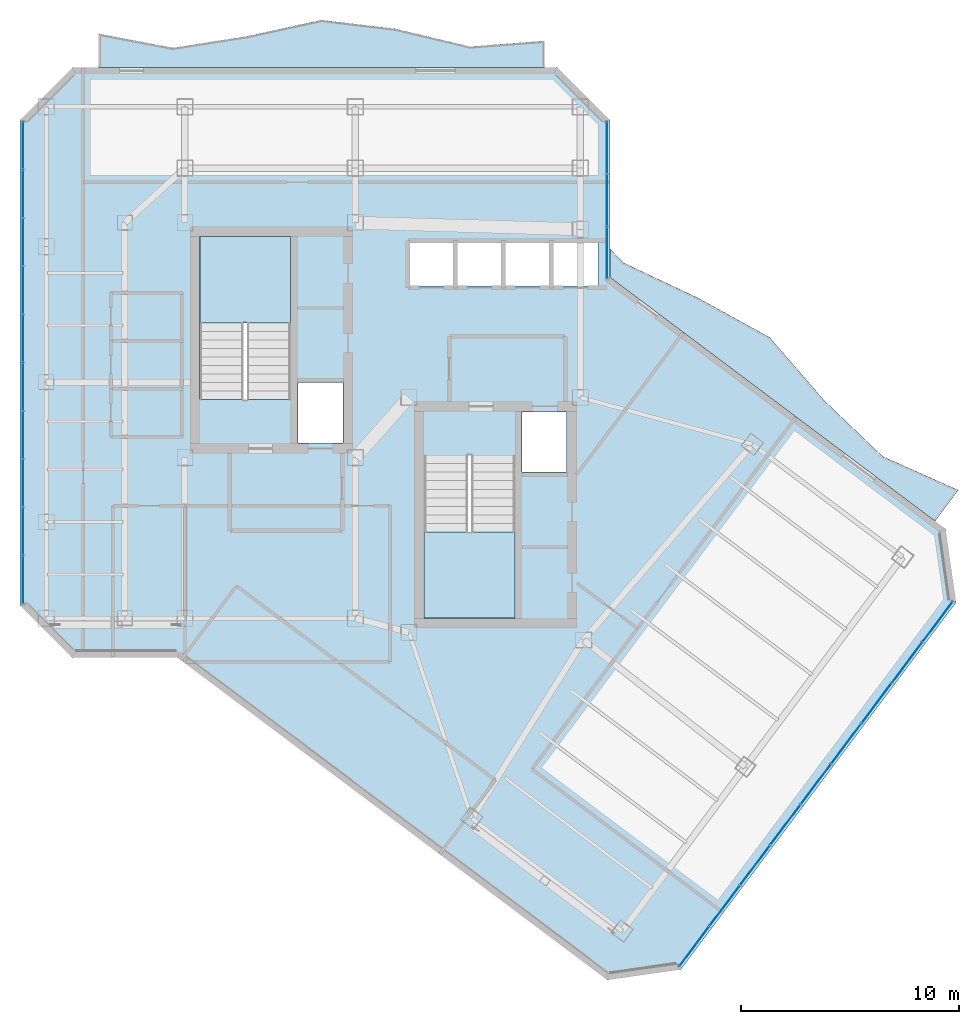
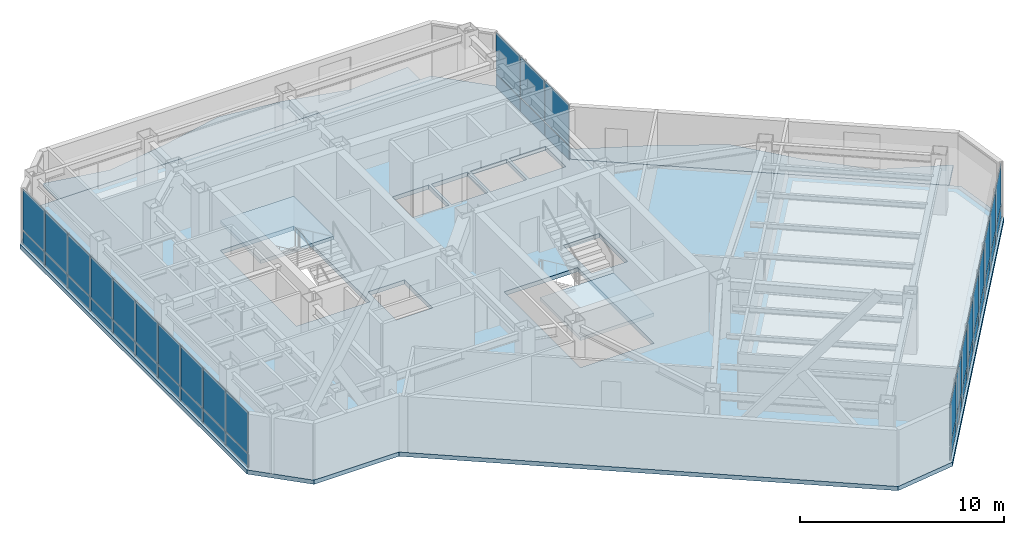
# One storey, part 18 of 24: 44 plates, 5 slabs, 5 elements without a shape of their own.
"""IFC4 building model written with IfcOpenShell, lengths in metres."""

import ifcopenshell
import ifcopenshell.guid

model = None  # the IFC model being written
_history = None  # IfcOwnerHistory: only IFC2X3 demands one
_inside = {}  # id of a spatial element -> (the spatial element, [elements in it])
_under = {}  # id of a project, library or spatial element -> (it, [spatial elements below it])
_declared = {}  # id of a project -> (the project, [libraries it declares])
_typed = {}  # id of a type object -> (the type object, [elements of that type])
_made_of = {}  # id of a material, layer set ... -> (it, [elements and type objects made of it])


def new_model(schema):
    """Start an empty IFC model of exactly this schema.

    Asked for "IFC4X3", IfcOpenShell would pick the latest addendum, in which some entities
    have other attributes; the version numbers below select the first issue.
    IFC2X3 requires an IfcOwnerHistory on every rooted entity: one is made here for all.
    """
    global model, _history
    if schema == "IFC4X3":
        model = ifcopenshell.file(schema_version=(4, 3, 0, 0))
    else:
        model = ifcopenshell.file(schema=schema)
    _inside.clear()
    _under.clear()
    _declared.clear()
    _typed.clear()
    _made_of.clear()
    _history = None
    if model.schema == "IFC2X3":
        org = make("IfcOrganization", Name="unknown")
        user = make(
            "IfcPersonAndOrganization",
            ThePerson=make("IfcPerson", FamilyName="unknown"),
            TheOrganization=org,
        )
        app = make(
            "IfcApplication",
            ApplicationDeveloper=org,
            Version="unknown",
            ApplicationFullName="unknown",
            ApplicationIdentifier="unknown",
        )
        _history = make(
            "IfcOwnerHistory",
            OwningUser=user,
            OwningApplication=app,
            ChangeAction="ADDED",
            CreationDate=0,
        )
    return model


def make(cls, **values):
    """One entity of the class cls with the attributes given. An attribute that is None is left unset."""
    return model.create_entity(
        cls, **{name: value for name, value in values.items() if value is not None}
    )


def rooted(cls, **values):
    """An entity with a GlobalId (a new one), such as an element, a storey or a relation."""
    return make(cls, GlobalId=ifcopenshell.guid.new(), OwnerHistory=_history, **values)


def si_unit(unit_type, name, prefix=None):
    """IfcSIUnit, for example si_unit("LENGTHUNIT", "METRE", prefix="MILLI")."""
    return make("IfcSIUnit", UnitType=unit_type, Prefix=prefix, Name=name)


def assignment(units):
    """IfcUnitAssignment: the units of a project."""
    return None if units is None else make("IfcUnitAssignment", Units=units)


def point(xyz):
    """IfcCartesianPoint."""
    return None if xyz is None else make("IfcCartesianPoint", Coordinates=xyz)


def direction(xyz):
    """IfcDirection."""
    return None if xyz is None else make("IfcDirection", DirectionRatios=xyz)


def frame(location, z_axis=None, x_axis=None):
    """IfcAxis2Placement3D, a coordinate frame: its origin and axes. An axis left out is left unset."""
    return make(
        "IfcAxis2Placement3D",
        Location=point(location),
        Axis=direction(z_axis),
        RefDirection=direction(x_axis),
    )


def frame_2d(location, x_axis=None):
    """IfcAxis2Placement2D, a coordinate frame in the plane: its origin and x axis."""
    return make(
        "IfcAxis2Placement2D", Location=point(location), RefDirection=direction(x_axis)
    )


def origin():
    """The frame at (0, 0, 0) with its axes left unset."""
    return frame((0.0, 0.0, 0.0))


def origin_2d():
    """The frame at (0, 0) in the plane with its x axis left unset."""
    return frame_2d((0.0, 0.0))


def place(relative_to, where):
    """IfcLocalPlacement: puts the frame where relative to a parent placement (None: the world)."""
    return make(
        "IfcLocalPlacement", PlacementRelTo=relative_to, RelativePlacement=where
    )


def context(
    kind, dimensions, precision=None, world=None, true_north=None, identifier=None
):
    """IfcGeometricRepresentationContext, for example the 3D "Model" context."""
    return make(
        "IfcGeometricRepresentationContext",
        ContextIdentifier=identifier,
        ContextType=kind,
        CoordinateSpaceDimension=dimensions,
        Precision=precision,
        WorldCoordinateSystem=world,
        TrueNorth=true_north,
    )


def subcontext(parent, identifier, kind, view, scale=None):
    """IfcGeometricRepresentationSubContext, for example "Body" below "Model"."""
    return make(
        "IfcGeometricRepresentationSubContext",
        ContextIdentifier=identifier,
        ContextType=kind,
        ParentContext=parent,
        TargetScale=scale,
        TargetView=view,
    )


def project(units=None, contexts=None):
    """IfcProject with its units and contexts."""
    return rooted(
        "IfcProject",
        Name="project",
        RepresentationContexts=contexts,
        UnitsInContext=assignment(units),
    )


def spatial(cls, under=None, at=None, **own):
    """A site, building, storey or space (cls), placed at a placement, below another one or the project."""
    s = rooted(cls, ObjectPlacement=at, **own)
    if under is not None:
        _under.setdefault(under.id(), (under, []))[1].append(s)
    return s


def polyline(points):
    """IfcPolyline through the points."""
    return make("IfcPolyline", Points=[point(p) for p in points])


def profile(cls, at=None, kind="AREA", **sizes):
    """A parametric profile (cls). Its sizes go by their IFC names, for example OverallWidth=200.0."""
    return make(cls, ProfileType=kind, Position=at, **sizes)


def rectangle(**sizes):
    """IfcRectangleProfileDef."""
    return profile("IfcRectangleProfileDef", **sizes)


def outline(outer, holes=None, kind="AREA"):
    """IfcArbitraryClosedProfileDef: a profile drawn as a closed curve; with holes, ...WithVoids."""
    if holes is None:
        return make("IfcArbitraryClosedProfileDef", ProfileType=kind, OuterCurve=outer)
    return make(
        "IfcArbitraryProfileDefWithVoids",
        ProfileType=kind,
        OuterCurve=outer,
        InnerCurves=holes,
    )


def extrude(swept, where, along, depth):
    """IfcExtrudedAreaSolid: the profile swept, set in the frame where, extruded along a direction by depth."""
    return make(
        "IfcExtrudedAreaSolid",
        SweptArea=swept,
        Position=where,
        ExtrudedDirection=direction(along),
        Depth=depth,
    )


def shape(context_of_items, identifier, shape_type, items):
    """IfcShapeRepresentation: the items that make up one representation, for example the "Body"."""
    return make(
        "IfcShapeRepresentation",
        ContextOfItems=context_of_items,
        RepresentationIdentifier=identifier,
        RepresentationType=shape_type,
        Items=items,
    )


def material(Name=None, Category=None):
    """IfcMaterial."""
    return make("IfcMaterial", Name=Name, Category=Category)


def layer(
    of_material, thickness, ventilated=None, Name=None, Category=None, Priority=None
):
    """IfcMaterialLayer: one layer of a wall or slab, of a material (None: an air gap)."""
    return make(
        "IfcMaterialLayer",
        Material=of_material,
        LayerThickness=thickness,
        IsVentilated=ventilated,
        Name=Name,
        Category=Category,
        Priority=Priority,
    )


def layer_set(layers, Name=None):
    """IfcMaterialLayerSet."""
    return make("IfcMaterialLayerSet", MaterialLayers=layers, LayerSetName=Name)


def made_of(thing, what):
    """Note that an element or type object is made of a material, layer set ...; save() writes the relation."""
    if what is not None:
        _made_of.setdefault(what.id(), (what, []))[1].append(thing)
    return thing


def type_object(cls, material=None, **own):
    """A type object (cls), such as IfcWallType, which elements share."""
    return made_of(rooted(cls, **own), material)


def element(
    cls,
    number,
    at=None,
    inside=None,
    cuts=None,
    type_object=None,
    material=None,
    context=None,
    identifier="Body",
    shape_type=None,
    held_by="IfcProductDefinitionShape",
    body=None,
    shapes=None,
    **own,
):
    """One element of the class cls, such as IfcWall. Its Tag is "e" and its number.

    at: its placement. inside: the storey or other place that contains it. cuts: it is an
    opening in that element (IfcRelVoidsElement). A single representation is given by context,
    identifier, shape_type and body (its items); several are given by shapes. held_by: the class
    of the entity that holds the representations. save() writes the other relations.
    """
    e = rooted(cls, Tag="e%d" % number, ObjectPlacement=at, **own)
    if body is not None:
        shapes = [shape(context, identifier, shape_type, body)]
    if shapes is not None:
        e.Representation = make(held_by, Representations=shapes)
    if inside is not None:
        _inside.setdefault(inside.id(), (inside, []))[1].append(e)
    if cuts is not None:
        rooted(
            "IfcRelVoidsElement", RelatingBuildingElement=cuts, RelatedOpeningElement=e
        )
    if type_object is not None:
        _typed.setdefault(type_object.id(), (type_object, []))[1].append(e)
    return made_of(e, material)


def aggregate(whole, parts):
    """IfcRelAggregates: a whole, such as a stair, and the parts it consists of."""
    return rooted("IfcRelAggregates", RelatingObject=whole, RelatedObjects=parts)


def save(model, path):
    """Write the relations noted so far, then the file.

    IfcRelAggregates (storeys below a building ...), IfcRelContainedInSpatialStructure (elements
    in a storey), IfcRelDefinesByType, IfcRelAssociatesMaterial and IfcRelDeclares: one each for
    every whole, place, type object, material and project.
    """
    for whole, parts in _under.values():
        aggregate(whole, parts)
    for where, things in _inside.values():
        rooted(
            "IfcRelContainedInSpatialStructure",
            RelatedElements=things,
            RelatingStructure=where,
        )
    for kind, things in _typed.values():
        rooted("IfcRelDefinesByType", RelatedObjects=things, RelatingType=kind)
    for what, things in _made_of.values():
        rooted("IfcRelAssociatesMaterial", RelatedObjects=things, RelatingMaterial=what)
    for by, libraries in _declared.values():
        rooted("IfcRelDeclares", RelatingContext=by, RelatedDefinitions=libraries)
    model.write(path)


model = new_model("IFC4")

# Units and contexts
model_context = context("Model", 3, precision=1e-05, world=origin(), true_north=direction((0.0, 1.0)))
body_context = subcontext(model_context, "Body", "Model", "MODEL_VIEW")
ifc_project = project(units=[si_unit("LENGTHUNIT", "METRE"), si_unit("AREAUNIT", "SQUARE_METRE"), si_unit("VOLUMEUNIT", "CUBIC_METRE"), si_unit("PLANEANGLEUNIT", "RADIAN"), si_unit("MASSUNIT", "GRAM", prefix="KILO")], contexts=[model_context])

# Site, building, storey
site_placement = place(None, origin())
site = spatial("IfcSite", under=ifc_project, at=site_placement, CompositionType="ELEMENT")
building_placement = place(site_placement, origin())
building = spatial("IfcBuilding", under=site, at=building_placement, Name="Hatsunagi Terrace Concourse", CompositionType="ELEMENT")
storey_placement = place(building_placement, frame((0.0, 0.0, 191.550048828125)))
storey = spatial("IfcBuildingStorey", under=building, at=storey_placement, Name="L50", CompositionType="ELEMENT", Elevation=191.550048828125)

# Curtain wall, plates
ifc_material_1 = material(Name="Anodised Aluminium Alloy 6063-T5", Category="aluminium")
ifc_layer_1 = layer(ifc_material_1, 0.199951171875)
ifc_layer_set_1 = layer_set([ifc_layer_1], Name="OfficeZone2_CW04")
curtain_wall_type = type_object("IfcCurtainWallType", Name="OfficeZone2_CW04", PredefinedType="NOTDEFINED", material=ifc_layer_set_1)
curtain_wall_1_placement = place(storey_placement, origin())
curtain_wall_1 = element("IfcCurtainWall", 1, at=curtain_wall_1_placement, inside=storey, type_object=curtain_wall_type, Name="Unitised Curtain Wall CW-04 CW-L50-03", PredefinedType="NOTDEFINED")
ifc_material_2 = material(Name="Warm Terracotta Ceramic Spandrel Panel", Category="masonry")
ifc_layer_2 = layer(ifc_material_2, 0.031982421875)
ifc_layer_set_2 = layer_set([ifc_layer_2], Name="CurtainWallSpandrelPanel_32")
plate_type_1 = type_object("IfcPlateType", Name="CurtainWallSpandrelPanel_32", PredefinedType="SHEET", material=ifc_layer_set_2)
plate_1_placement = place(storey_placement, frame((59.9970703125, 25.030029296875, 0.030029296875), z_axis=(0.0, 0.0, 1.0), x_axis=(-0.599969314634, -0.800023013105, 0.0)))
plate_1 = element("IfcPlate", 2, at=plate_1_placement, type_object=plate_type_1, Name="Terracotta Spandrel Panel SPN-01", PredefinedType="SHEET", context=body_context, shape_type="SweptSolid", body=[
    extrude(rectangle(XDim=2.264892578125, YDim=0.031982421875, at=origin_2d()), origin(), (0.0, 0.0, 1.0), 0.7900390625),
])
plate_2_placement = place(storey_placement, frame((58.60498046875, 23.173095703125, 0.030029296875), z_axis=(0.0, 0.0, 1.0), x_axis=(-0.599969314634, -0.800023013105, 0.0)))
plate_2 = element("IfcPlate", 3, at=plate_2_placement, type_object=plate_type_1, Name="Terracotta Spandrel Panel SPN-01", PredefinedType="SHEET", context=body_context, shape_type="SweptSolid", body=[
    extrude(rectangle(XDim=2.264892578125, YDim=0.031982421875, at=origin_2d()), origin(), (0.0, 0.0, 1.0), 0.7900390625),
])
plate_3_placement = place(storey_placement, frame((57.2119140625, 21.31689453125, 0.030029296875), z_axis=(0.0, 0.0, 1.0), x_axis=(-0.599969314634, -0.800023013105, 0.0)))
plate_3 = element("IfcPlate", 4, at=plate_3_placement, type_object=plate_type_1, Name="Terracotta Spandrel Panel SPN-01", PredefinedType="SHEET", context=body_context, shape_type="SweptSolid", body=[
    extrude(rectangle(XDim=2.264892578125, YDim=0.031982421875, at=origin_2d()), origin(), (0.0, 0.0, 1.0), 0.7900390625),
])
plate_4_placement = place(storey_placement, frame((55.820068359375, 19.4599609375, 0.030029296875), z_axis=(0.0, 0.0, 1.0), x_axis=(-0.599969314634, -0.800023013105, 0.0)))
plate_4 = element("IfcPlate", 5, at=plate_4_placement, type_object=plate_type_1, Name="Terracotta Spandrel Panel SPN-01", PredefinedType="SHEET", context=body_context, shape_type="SweptSolid", body=[
    extrude(rectangle(XDim=2.264892578125, YDim=0.031982421875, at=origin_2d()), origin(), (0.0, 0.0, 1.0), 0.7900390625),
])
plate_5_placement = place(storey_placement, frame((54.427978515625, 17.60400390625, 0.030029296875), z_axis=(0.0, 0.0, 1.0), x_axis=(-0.599969314634, -0.800023013105, 0.0)))
plate_5 = element("IfcPlate", 6, at=plate_5_placement, type_object=plate_type_1, Name="Terracotta Spandrel Panel SPN-01", PredefinedType="SHEET", context=body_context, shape_type="SweptSolid", body=[
    extrude(rectangle(XDim=2.264892578125, YDim=0.031982421875, at=origin_2d()), origin(), (0.0, 0.0, 1.0), 0.7900390625),
])
plate_6_placement = place(storey_placement, frame((53.035888671875, 15.748046875, 0.030029296875), z_axis=(0.0, 0.0, 1.0), x_axis=(-0.599969314634, -0.800023013105, 0.0)))
plate_6 = element("IfcPlate", 7, at=plate_6_placement, type_object=plate_type_1, Name="Terracotta Spandrel Panel SPN-01", PredefinedType="SHEET", context=body_context, shape_type="SweptSolid", body=[
    extrude(rectangle(XDim=2.264892578125, YDim=0.031982421875, at=origin_2d()), origin(), (0.0, 0.0, 1.0), 0.7900390625),
])
plate_7_placement = place(storey_placement, frame((51.64404296875, 13.89111328125, 0.030029296875), z_axis=(0.0, 0.0, 1.0), x_axis=(-0.599969314634, -0.800023013105, 0.0)))
plate_7 = element("IfcPlate", 8, at=plate_7_placement, type_object=plate_type_1, Name="Terracotta Spandrel Panel SPN-01", PredefinedType="SHEET", context=body_context, shape_type="SweptSolid", body=[
    extrude(rectangle(XDim=2.264892578125, YDim=0.031982421875, at=origin_2d()), origin(), (0.0, 0.0, 1.0), 0.7900390625),
])
plate_8_placement = place(storey_placement, frame((50.2509765625, 12.034912109375, 0.030029296875), z_axis=(0.0, 0.0, 1.0), x_axis=(-0.599969314634, -0.800023013105, 0.0)))
plate_8 = element("IfcPlate", 9, at=plate_8_placement, type_object=plate_type_1, Name="Terracotta Spandrel Panel SPN-01", PredefinedType="SHEET", context=body_context, shape_type="SweptSolid", body=[
    extrude(rectangle(XDim=2.264892578125, YDim=0.031982421875, at=origin_2d()), origin(), (0.0, 0.0, 1.0), 0.7900390625),
])
plate_9_placement = place(storey_placement, frame((48.85888671875, 10.177978515625, 0.030029296875), z_axis=(0.0, 0.0, 1.0), x_axis=(-0.599969314634, -0.800023013105, 0.0)))
plate_9 = element("IfcPlate", 10, at=plate_9_placement, type_object=plate_type_1, Name="Terracotta Spandrel Panel SPN-01", PredefinedType="SHEET", context=body_context, shape_type="SweptSolid", body=[
    extrude(rectangle(XDim=2.264892578125, YDim=0.031982421875, at=origin_2d()), origin(), (0.0, 0.0, 1.0), 0.7900390625),
])

curtain_wall_2_placement = place(storey_placement, origin())
curtain_wall_2 = element("IfcCurtainWall", 11, at=curtain_wall_2_placement, inside=storey, type_object=curtain_wall_type, Name="Unitised Curtain Wall CW-04 CW-L50-08", PredefinedType="NOTDEFINED")
plate_10_placement = place(storey_placement, frame((18.139892578125, 26.9619140625, 0.030029296875), z_axis=(0.0, 0.0, 1.0), x_axis=(0.0, 1.0, 0.0)))
plate_10 = element("IfcPlate", 12, at=plate_10_placement, type_object=plate_type_1, Name="Terracotta Spandrel Panel SPN-01", PredefinedType="SHEET", context=body_context, shape_type="SweptSolid", body=[
    extrude(rectangle(XDim=2.153076171875, YDim=0.031982421875, at=origin_2d()), origin(), (0.0, 0.0, 1.0), 0.7900390625),
])
plate_11_placement = place(storey_placement, frame((18.139892578125, 29.1708984375, 0.030029296875), z_axis=(0.0, 0.0, 1.0), x_axis=(0.0, 1.0, 0.0)))
plate_11 = element("IfcPlate", 13, at=plate_11_placement, type_object=plate_type_1, Name="Terracotta Spandrel Panel SPN-01", PredefinedType="SHEET", context=body_context, shape_type="SweptSolid", body=[
    extrude(rectangle(XDim=2.153076171875, YDim=0.031982421875, at=origin_2d()), origin(), (0.0, 0.0, 1.0), 0.7900390625),
])
plate_12_placement = place(storey_placement, frame((18.139892578125, 31.37890625, 0.030029296875), z_axis=(0.0, 0.0, 1.0), x_axis=(0.0, 1.0, 0.0)))
plate_12 = element("IfcPlate", 14, at=plate_12_placement, type_object=plate_type_1, Name="Terracotta Spandrel Panel SPN-01", PredefinedType="SHEET", context=body_context, shape_type="SweptSolid", body=[
    extrude(rectangle(XDim=2.153076171875, YDim=0.031982421875, at=origin_2d()), origin(), (0.0, 0.0, 1.0), 0.7900390625),
])
plate_13_placement = place(storey_placement, frame((18.139892578125, 33.5869140625, 0.030029296875), z_axis=(0.0, 0.0, 1.0), x_axis=(0.0, 1.0, 0.0)))
plate_13 = element("IfcPlate", 15, at=plate_13_placement, type_object=plate_type_1, Name="Terracotta Spandrel Panel SPN-01", PredefinedType="SHEET", context=body_context, shape_type="SweptSolid", body=[
    extrude(rectangle(XDim=2.153076171875, YDim=0.031982421875, at=origin_2d()), origin(), (0.0, 0.0, 1.0), 0.7900390625),
])
plate_14_placement = place(storey_placement, frame((18.139892578125, 35.7958984375, 0.030029296875), z_axis=(0.0, 0.0, 1.0), x_axis=(0.0, 1.0, 0.0)))
plate_14 = element("IfcPlate", 16, at=plate_14_placement, type_object=plate_type_1, Name="Terracotta Spandrel Panel SPN-01", PredefinedType="SHEET", context=body_context, shape_type="SweptSolid", body=[
    extrude(rectangle(XDim=2.153076171875, YDim=0.031982421875, at=origin_2d()), origin(), (0.0, 0.0, 1.0), 0.7900390625),
])
plate_15_placement = place(storey_placement, frame((18.139892578125, 38.00390625, 0.030029296875), z_axis=(0.0, 0.0, 1.0), x_axis=(0.0, 1.0, 0.0)))
plate_15 = element("IfcPlate", 17, at=plate_15_placement, type_object=plate_type_1, Name="Terracotta Spandrel Panel SPN-01", PredefinedType="SHEET", context=body_context, shape_type="SweptSolid", body=[
    extrude(rectangle(XDim=2.153076171875, YDim=0.031982421875, at=origin_2d()), origin(), (0.0, 0.0, 1.0), 0.7900390625),
])
plate_16_placement = place(storey_placement, frame((18.139892578125, 40.212890625, 0.030029296875), z_axis=(0.0, 0.0, 1.0), x_axis=(0.0, 1.0, 0.0)))
plate_16 = element("IfcPlate", 18, at=plate_16_placement, type_object=plate_type_1, Name="Terracotta Spandrel Panel SPN-01", PredefinedType="SHEET", context=body_context, shape_type="SweptSolid", body=[
    extrude(rectangle(XDim=2.153076171875, YDim=0.031982421875, at=origin_2d()), origin(), (0.0, 0.0, 1.0), 0.7900390625),
])
plate_17_placement = place(storey_placement, frame((18.139892578125, 42.4208984375, 0.030029296875), z_axis=(0.0, 0.0, 1.0), x_axis=(0.0, 1.0, 0.0)))
plate_17 = element("IfcPlate", 19, at=plate_17_placement, type_object=plate_type_1, Name="Terracotta Spandrel Panel SPN-01", PredefinedType="SHEET", context=body_context, shape_type="SweptSolid", body=[
    extrude(rectangle(XDim=2.153076171875, YDim=0.031982421875, at=origin_2d()), origin(), (0.0, 0.0, 1.0), 0.7900390625),
])
plate_18_placement = place(storey_placement, frame((18.139892578125, 44.62890625, 0.030029296875), z_axis=(0.0, 0.0, 1.0), x_axis=(0.0, 1.0, 0.0)))
plate_18 = element("IfcPlate", 20, at=plate_18_placement, type_object=plate_type_1, Name="Terracotta Spandrel Panel SPN-01", PredefinedType="SHEET", context=body_context, shape_type="SweptSolid", body=[
    extrude(rectangle(XDim=2.153076171875, YDim=0.031982421875, at=origin_2d()), origin(), (0.0, 0.0, 1.0), 0.7900390625),
])
plate_19_placement = place(storey_placement, frame((18.139892578125, 46.837890625, 0.030029296875), z_axis=(0.0, 0.0, 1.0), x_axis=(0.0, 1.0, 0.0)))
plate_19 = element("IfcPlate", 21, at=plate_19_placement, type_object=plate_type_1, Name="Terracotta Spandrel Panel SPN-01", PredefinedType="SHEET", context=body_context, shape_type="SweptSolid", body=[
    extrude(rectangle(XDim=2.153076171875, YDim=0.031982421875, at=origin_2d()), origin(), (0.0, 0.0, 1.0), 0.7900390625),
])

curtain_wall_3_placement = place(storey_placement, origin())
curtain_wall_3 = element("IfcCurtainWall", 22, at=curtain_wall_3_placement, inside=storey, type_object=curtain_wall_type, Name="Unitised Curtain Wall CW-04 CW-L50-12", PredefinedType="NOTDEFINED")
plate_20_placement = place(storey_placement, frame((44.860107421875, 46.739990234375, 0.030029296875), z_axis=(0.0, 0.0, 1.0), x_axis=(0.0, -1.0, 0.0)))
plate_20 = element("IfcPlate", 23, at=plate_20_placement, type_object=plate_type_1, Name="Terracotta Spandrel Panel SPN-01", PredefinedType="SHEET", context=body_context, shape_type="SweptSolid", body=[
    extrude(rectangle(XDim=2.34912109375, YDim=0.031982421875, at=origin_2d()), origin(), (0.0, 0.0, 1.0), 0.7900390625),
])
plate_21_placement = place(storey_placement, frame((44.860107421875, 44.3359375, 0.030029296875), z_axis=(0.0, 0.0, 1.0), x_axis=(0.0, -1.0, 0.0)))
plate_21 = element("IfcPlate", 24, at=plate_21_placement, type_object=plate_type_1, Name="Terracotta Spandrel Panel SPN-01", PredefinedType="SHEET", context=body_context, shape_type="SweptSolid", body=[
    extrude(rectangle(XDim=2.34912109375, YDim=0.031982421875, at=origin_2d()), origin(), (0.0, 0.0, 1.0), 0.7900390625),
])
plate_22_placement = place(storey_placement, frame((44.860107421875, 41.931884765625, 0.030029296875), z_axis=(0.0, 0.0, 1.0), x_axis=(0.0, -1.0, 0.0)))
plate_22 = element("IfcPlate", 25, at=plate_22_placement, type_object=plate_type_1, Name="Terracotta Spandrel Panel SPN-01", PredefinedType="SHEET", context=body_context, shape_type="SweptSolid", body=[
    extrude(rectangle(XDim=2.34912109375, YDim=0.031982421875, at=origin_2d()), origin(), (0.0, 0.0, 1.0), 0.7900390625),
])

# Plate
ifc_material_3 = material(Name="Low-E Double Insulating Glass 28mm", Category="glass")
ifc_layer_3 = layer(ifc_material_3, 0.028076171875)
ifc_layer_set_3 = layer_set([ifc_layer_3], Name="CurtainWallVisionGlass_28")
plate_type_2 = type_object("IfcPlateType", Name="CurtainWallVisionGlass_28", PredefinedType="CURTAIN_PANEL", material=ifc_layer_set_3)
plate_23_placement = place(storey_placement, frame((59.9970703125, 25.030029296875, 0.8798828125), z_axis=(0.0, 0.0, 1.0), x_axis=(-0.599969314634, -0.800023013105, 0.0)))
plate_23 = element("IfcPlate", 26, at=plate_23_placement, type_object=plate_type_2, Name="Low-E Vision Glass Panel GLZ-01", PredefinedType="CURTAIN_PANEL", context=body_context, shape_type="SweptSolid", body=[
    extrude(rectangle(XDim=2.264892578125, YDim=0.028076171875, at=origin_2d()), origin(), (0.0, 0.0, 1.0), 2.43994140625),
])

plate_24_placement = place(storey_placement, frame((58.60498046875, 23.173095703125, 0.8798828125), z_axis=(0.0, 0.0, 1.0), x_axis=(-0.599969314634, -0.800023013105, 0.0)))
plate_24 = element("IfcPlate", 27, at=plate_24_placement, type_object=plate_type_2, Name="Low-E Vision Glass Panel GLZ-01", PredefinedType="CURTAIN_PANEL", context=body_context, shape_type="SweptSolid", body=[
    extrude(rectangle(XDim=2.264892578125, YDim=0.028076171875, at=origin_2d()), origin(), (0.0, 0.0, 1.0), 2.43994140625),
])

plate_25_placement = place(storey_placement, frame((57.2119140625, 21.31689453125, 0.8798828125), z_axis=(0.0, 0.0, 1.0), x_axis=(-0.599969314634, -0.800023013105, 0.0)))
plate_25 = element("IfcPlate", 28, at=plate_25_placement, type_object=plate_type_2, Name="Low-E Vision Glass Panel GLZ-01", PredefinedType="CURTAIN_PANEL", context=body_context, shape_type="SweptSolid", body=[
    extrude(rectangle(XDim=2.264892578125, YDim=0.028076171875, at=origin_2d()), origin(), (0.0, 0.0, 1.0), 2.43994140625),
])

plate_26_placement = place(storey_placement, frame((55.820068359375, 19.4599609375, 0.8798828125), z_axis=(0.0, 0.0, 1.0), x_axis=(-0.599969314634, -0.800023013105, 0.0)))
plate_26 = element("IfcPlate", 29, at=plate_26_placement, type_object=plate_type_2, Name="Low-E Vision Glass Panel GLZ-01", PredefinedType="CURTAIN_PANEL", context=body_context, shape_type="SweptSolid", body=[
    extrude(rectangle(XDim=2.264892578125, YDim=0.028076171875, at=origin_2d()), origin(), (0.0, 0.0, 1.0), 2.43994140625),
])

plate_27_placement = place(storey_placement, frame((54.427978515625, 17.60400390625, 0.8798828125), z_axis=(0.0, 0.0, 1.0), x_axis=(-0.599969314634, -0.800023013105, 0.0)))
plate_27 = element("IfcPlate", 30, at=plate_27_placement, type_object=plate_type_2, Name="Low-E Vision Glass Panel GLZ-01", PredefinedType="CURTAIN_PANEL", context=body_context, shape_type="SweptSolid", body=[
    extrude(rectangle(XDim=2.264892578125, YDim=0.028076171875, at=origin_2d()), origin(), (0.0, 0.0, 1.0), 2.43994140625),
])

plate_28_placement = place(storey_placement, frame((53.035888671875, 15.748046875, 0.8798828125), z_axis=(0.0, 0.0, 1.0), x_axis=(-0.599969314634, -0.800023013105, 0.0)))
plate_28 = element("IfcPlate", 31, at=plate_28_placement, type_object=plate_type_2, Name="Low-E Vision Glass Panel GLZ-01", PredefinedType="CURTAIN_PANEL", context=body_context, shape_type="SweptSolid", body=[
    extrude(rectangle(XDim=2.264892578125, YDim=0.028076171875, at=origin_2d()), origin(), (0.0, 0.0, 1.0), 2.43994140625),
])

plate_29_placement = place(storey_placement, frame((51.64404296875, 13.89111328125, 0.8798828125), z_axis=(0.0, 0.0, 1.0), x_axis=(-0.599969314634, -0.800023013105, 0.0)))
plate_29 = element("IfcPlate", 32, at=plate_29_placement, type_object=plate_type_2, Name="Low-E Vision Glass Panel GLZ-01", PredefinedType="CURTAIN_PANEL", context=body_context, shape_type="SweptSolid", body=[
    extrude(rectangle(XDim=2.264892578125, YDim=0.028076171875, at=origin_2d()), origin(), (0.0, 0.0, 1.0), 2.43994140625),
])

plate_30_placement = place(storey_placement, frame((50.2509765625, 12.034912109375, 0.8798828125), z_axis=(0.0, 0.0, 1.0), x_axis=(-0.599969314634, -0.800023013105, 0.0)))
plate_30 = element("IfcPlate", 33, at=plate_30_placement, type_object=plate_type_2, Name="Low-E Vision Glass Panel GLZ-01", PredefinedType="CURTAIN_PANEL", context=body_context, shape_type="SweptSolid", body=[
    extrude(rectangle(XDim=2.264892578125, YDim=0.028076171875, at=origin_2d()), origin(), (0.0, 0.0, 1.0), 2.43994140625),
])

plate_31_placement = place(storey_placement, frame((48.85888671875, 10.177978515625, 0.8798828125), z_axis=(0.0, 0.0, 1.0), x_axis=(-0.599969314634, -0.800023013105, 0.0)))
plate_31 = element("IfcPlate", 34, at=plate_31_placement, type_object=plate_type_2, Name="Low-E Vision Glass Panel GLZ-01", PredefinedType="CURTAIN_PANEL", context=body_context, shape_type="SweptSolid", body=[
    extrude(rectangle(XDim=2.264892578125, YDim=0.028076171875, at=origin_2d()), origin(), (0.0, 0.0, 1.0), 2.43994140625),
])

aggregate(curtain_wall_1, [plate_1, plate_23, plate_2, plate_24, plate_3, plate_25, plate_4, plate_26, plate_5, plate_27, plate_6, plate_28, plate_7, plate_29, plate_8, plate_30, plate_9, plate_31])

plate_32_placement = place(storey_placement, frame((18.139892578125, 26.9619140625, 0.8798828125), z_axis=(0.0, 0.0, 1.0), x_axis=(0.0, 1.0, 0.0)))
plate_32 = element("IfcPlate", 35, at=plate_32_placement, type_object=plate_type_2, Name="Low-E Vision Glass Panel GLZ-01", PredefinedType="CURTAIN_PANEL", context=body_context, shape_type="SweptSolid", body=[
    extrude(rectangle(XDim=2.153076171875, YDim=0.028076171875, at=origin_2d()), origin(), (0.0, 0.0, 1.0), 2.43994140625),
])

plate_33_placement = place(storey_placement, frame((18.139892578125, 29.1708984375, 0.8798828125), z_axis=(0.0, 0.0, 1.0), x_axis=(0.0, 1.0, 0.0)))
plate_33 = element("IfcPlate", 36, at=plate_33_placement, type_object=plate_type_2, Name="Low-E Vision Glass Panel GLZ-01", PredefinedType="CURTAIN_PANEL", context=body_context, shape_type="SweptSolid", body=[
    extrude(rectangle(XDim=2.153076171875, YDim=0.028076171875, at=origin_2d()), origin(), (0.0, 0.0, 1.0), 2.43994140625),
])

plate_34_placement = place(storey_placement, frame((18.139892578125, 31.37890625, 0.8798828125), z_axis=(0.0, 0.0, 1.0), x_axis=(0.0, 1.0, 0.0)))
plate_34 = element("IfcPlate", 37, at=plate_34_placement, type_object=plate_type_2, Name="Low-E Vision Glass Panel GLZ-01", PredefinedType="CURTAIN_PANEL", context=body_context, shape_type="SweptSolid", body=[
    extrude(rectangle(XDim=2.153076171875, YDim=0.028076171875, at=origin_2d()), origin(), (0.0, 0.0, 1.0), 2.43994140625),
])

plate_35_placement = place(storey_placement, frame((18.139892578125, 33.5869140625, 0.8798828125), z_axis=(0.0, 0.0, 1.0), x_axis=(0.0, 1.0, 0.0)))
plate_35 = element("IfcPlate", 38, at=plate_35_placement, type_object=plate_type_2, Name="Low-E Vision Glass Panel GLZ-01", PredefinedType="CURTAIN_PANEL", context=body_context, shape_type="SweptSolid", body=[
    extrude(rectangle(XDim=2.153076171875, YDim=0.028076171875, at=origin_2d()), origin(), (0.0, 0.0, 1.0), 2.43994140625),
])

plate_36_placement = place(storey_placement, frame((18.139892578125, 35.7958984375, 0.8798828125), z_axis=(0.0, 0.0, 1.0), x_axis=(0.0, 1.0, 0.0)))
plate_36 = element("IfcPlate", 39, at=plate_36_placement, type_object=plate_type_2, Name="Low-E Vision Glass Panel GLZ-01", PredefinedType="CURTAIN_PANEL", context=body_context, shape_type="SweptSolid", body=[
    extrude(rectangle(XDim=2.153076171875, YDim=0.028076171875, at=origin_2d()), origin(), (0.0, 0.0, 1.0), 2.43994140625),
])

plate_37_placement = place(storey_placement, frame((18.139892578125, 38.00390625, 0.8798828125), z_axis=(0.0, 0.0, 1.0), x_axis=(0.0, 1.0, 0.0)))
plate_37 = element("IfcPlate", 40, at=plate_37_placement, type_object=plate_type_2, Name="Low-E Vision Glass Panel GLZ-01", PredefinedType="CURTAIN_PANEL", context=body_context, shape_type="SweptSolid", body=[
    extrude(rectangle(XDim=2.153076171875, YDim=0.028076171875, at=origin_2d()), origin(), (0.0, 0.0, 1.0), 2.43994140625),
])

plate_38_placement = place(storey_placement, frame((18.139892578125, 40.212890625, 0.8798828125), z_axis=(0.0, 0.0, 1.0), x_axis=(0.0, 1.0, 0.0)))
plate_38 = element("IfcPlate", 41, at=plate_38_placement, type_object=plate_type_2, Name="Low-E Vision Glass Panel GLZ-01", PredefinedType="CURTAIN_PANEL", context=body_context, shape_type="SweptSolid", body=[
    extrude(rectangle(XDim=2.153076171875, YDim=0.028076171875, at=origin_2d()), origin(), (0.0, 0.0, 1.0), 2.43994140625),
])

plate_39_placement = place(storey_placement, frame((18.139892578125, 42.4208984375, 0.8798828125), z_axis=(0.0, 0.0, 1.0), x_axis=(0.0, 1.0, 0.0)))
plate_39 = element("IfcPlate", 42, at=plate_39_placement, type_object=plate_type_2, Name="Low-E Vision Glass Panel GLZ-01", PredefinedType="CURTAIN_PANEL", context=body_context, shape_type="SweptSolid", body=[
    extrude(rectangle(XDim=2.153076171875, YDim=0.028076171875, at=origin_2d()), origin(), (0.0, 0.0, 1.0), 2.43994140625),
])

plate_40_placement = place(storey_placement, frame((18.139892578125, 44.62890625, 0.8798828125), z_axis=(0.0, 0.0, 1.0), x_axis=(0.0, 1.0, 0.0)))
plate_40 = element("IfcPlate", 43, at=plate_40_placement, type_object=plate_type_2, Name="Low-E Vision Glass Panel GLZ-01", PredefinedType="CURTAIN_PANEL", context=body_context, shape_type="SweptSolid", body=[
    extrude(rectangle(XDim=2.153076171875, YDim=0.028076171875, at=origin_2d()), origin(), (0.0, 0.0, 1.0), 2.43994140625),
])

plate_41_placement = place(storey_placement, frame((18.139892578125, 46.837890625, 0.8798828125), z_axis=(0.0, 0.0, 1.0), x_axis=(0.0, 1.0, 0.0)))
plate_41 = element("IfcPlate", 44, at=plate_41_placement, type_object=plate_type_2, Name="Low-E Vision Glass Panel GLZ-01", PredefinedType="CURTAIN_PANEL", context=body_context, shape_type="SweptSolid", body=[
    extrude(rectangle(XDim=2.153076171875, YDim=0.028076171875, at=origin_2d()), origin(), (0.0, 0.0, 1.0), 2.43994140625),
])

aggregate(curtain_wall_2, [plate_10, plate_32, plate_11, plate_33, plate_12, plate_34, plate_13, plate_35, plate_14, plate_36, plate_15, plate_37, plate_16, plate_38, plate_17, plate_39, plate_18, plate_40, plate_19, plate_41])

plate_42_placement = place(storey_placement, frame((44.860107421875, 46.739990234375, 0.8798828125), z_axis=(0.0, 0.0, 1.0), x_axis=(0.0, -1.0, 0.0)))
plate_42 = element("IfcPlate", 45, at=plate_42_placement, type_object=plate_type_2, Name="Low-E Vision Glass Panel GLZ-01", PredefinedType="CURTAIN_PANEL", context=body_context, shape_type="SweptSolid", body=[
    extrude(rectangle(XDim=2.34912109375, YDim=0.028076171875, at=origin_2d()), origin(), (0.0, 0.0, 1.0), 2.43994140625),
])

plate_43_placement = place(storey_placement, frame((44.860107421875, 44.3359375, 0.8798828125), z_axis=(0.0, 0.0, 1.0), x_axis=(0.0, -1.0, 0.0)))
plate_43 = element("IfcPlate", 46, at=plate_43_placement, type_object=plate_type_2, Name="Low-E Vision Glass Panel GLZ-01", PredefinedType="CURTAIN_PANEL", context=body_context, shape_type="SweptSolid", body=[
    extrude(rectangle(XDim=2.34912109375, YDim=0.028076171875, at=origin_2d()), origin(), (0.0, 0.0, 1.0), 2.43994140625),
])

plate_44_placement = place(storey_placement, frame((44.860107421875, 41.931884765625, 0.8798828125), z_axis=(0.0, 0.0, 1.0), x_axis=(0.0, -1.0, 0.0)))
plate_44 = element("IfcPlate", 47, at=plate_44_placement, type_object=plate_type_2, Name="Low-E Vision Glass Panel GLZ-01", PredefinedType="CURTAIN_PANEL", context=body_context, shape_type="SweptSolid", body=[
    extrude(rectangle(XDim=2.34912109375, YDim=0.028076171875, at=origin_2d()), origin(), (0.0, 0.0, 1.0), 2.43994140625),
])

aggregate(curtain_wall_3, [plate_20, plate_42, plate_21, plate_43, plate_22, plate_44])

# Stair, slab
ifc_material_4 = material(Name="Concrete Fc42", Category="concrete")
stair_type = type_object("IfcStairType", Name="DoglegExitStair_Tower2000_20R_180", PredefinedType="HALF_TURN_STAIR", material=ifc_material_4)
stair_1_placement = place(storey_placement, origin())
stair_1 = element("IfcStair", 48, at=stair_1_placement, inside=storey, type_object=stair_type, Name="L50 Core A Protected Exit Stair ST-A", PredefinedType="HALF_TURN_STAIR")
ifc_material_5 = material(Name="Concrete Fc42", Category="concrete")
ifc_layer_4 = layer(ifc_material_5, 0.199951171875)
ifc_layer_set_4 = layer_set([ifc_layer_4], Name="DoglegStairLanding_Tower2000")
slab_type_1 = type_object("IfcSlabType", Name="DoglegStairLanding_Tower2000", PredefinedType="LANDING", material=ifc_layer_set_4)
slab_1_placement = place(storey_placement, frame((0.0, 0.0, 1.599853515625)))
slab_1 = element("IfcSlab", 49, at=slab_1_placement, type_object=slab_type_1, Name="ST-A landing 1", PredefinedType="LANDING", context=body_context, shape_type="SweptSolid", body=[
    extrude(outline(polyline([(30.3798828125, 38.7099609375), (30.3798828125, 42.659912109375), (26.22998046875, 42.659912109375), (26.22998046875, 38.7099609375), (30.3798828125, 38.7099609375)])), origin(), (0.0, 0.0, 1.0), 0.2001953125),
])
aggregate(stair_1, [slab_1])

stair_2_placement = place(storey_placement, origin())
stair_2 = element("IfcStair", 50, at=stair_2_placement, inside=storey, type_object=stair_type, Name="L50 Core B Protected Exit Stair ST-B", PredefinedType="HALF_TURN_STAIR")
slab_2_placement = place(storey_placement, frame((0.0, 0.0, 1.599853515625)))
slab_2 = element("IfcSlab", 51, at=slab_2_placement, type_object=slab_type_1, Name="ST-B landing 1", PredefinedType="LANDING", context=body_context, shape_type="SweptSolid", body=[
    extrude(outline(polyline([(36.5, 29.14990234375), (36.5, 25.199951171875), (40.64990234375, 25.199951171875), (40.64990234375, 29.14990234375), (36.5, 29.14990234375)])), origin(), (0.0, 0.0, 1.0), 0.2001953125),
])
aggregate(stair_2, [slab_2])

# Slabs
ifc_material_6 = material(Name="Concrete Fc42", Category="concrete")
ifc_layer_5 = layer(ifc_material_6, 0.199951171875)
ifc_layer_set_5 = layer_set([ifc_layer_5], Name="EngawaBalconySlab_Fc42_200")
slab_type_2 = type_object("IfcSlabType", Name="EngawaBalconySlab_Fc42_200", PredefinedType="FLOOR", material=ifc_layer_set_5)
slab_3_placement = place(storey_placement, frame((0.0, 0.0, -0.199951171875)))
element("IfcSlab", 52, at=slab_3_placement, inside=storey, type_object=slab_type_2, Name="Engawa Balcony Slab BAL-L50-BN", PredefinedType="FLOOR", context=body_context, shape_type="SweptSolid", body=[
    extrude(outline(polyline([(21.60009765625, 51.949951171875), (21.60009765625, 50.39990234375), (42.0, 50.39990234375), (42.0, 51.625), (38.60009765625, 51.361083984375), (35.199951171875, 52.172119140625), (31.800048828125, 52.577880859375), (28.39990234375, 51.8369140625), (25.0, 51.302001953125), (21.60009765625, 51.949951171875)])), origin(), (0.0, 0.0, 1.0), 0.199951171875),
])
slab_4_placement = place(storey_placement, frame((0.0, 0.0, -0.199951171875)))
element("IfcSlab", 53, at=slab_4_placement, inside=storey, type_object=slab_type_2, Name="Engawa Balcony Slab BAL-L50-BSE", PredefinedType="FLOOR", context=body_context, shape_type="SweptSolid", body=[
    extrude(outline(polyline([(45.623046875, 41.464111328125), (44.99609375, 42.111083984375), (44.99609375, 40.802978515625), (59.8798828125, 29.639892578125), (60.943115234375, 31.05810546875), (57.47802734375, 32.60400390625), (54.7890625, 35.18505859375), (52.31103515625, 38.048095703125), (49.0380859375, 39.85009765625), (45.623046875, 41.464111328125)])), origin(), (0.0, 0.0, 1.0), 0.199951171875),
])
ifc_material_7 = material(Name="Concrete Fc42", Category="concrete")
ifc_layer_6 = layer(ifc_material_7, 0.25)
ifc_layer_set_6 = layer_set([ifc_layer_6], Name="OfficeCrownSlab_Fc42_250")
slab_type_3 = type_object("IfcSlabType", Name="OfficeCrownSlab_Fc42_250", PredefinedType="FLOOR", material=ifc_layer_set_6)
slab_5_placement = place(storey_placement, frame((0.0, 0.0, -0.25)))
element("IfcSlab", 54, at=slab_5_placement, inside=storey, type_object=slab_type_3, Name="Floor Slab SL-250 L50", PredefinedType="FLOOR", context=body_context, shape_type="SweptSolid", body=[
    extrude(outline(polyline([(45.0, 40.800048828125), (45.0, 48.0), (42.60009765625, 50.39990234375), (20.39990234375, 50.39990234375), (18.0, 48.0), (18.0, 25.800048828125), (20.39990234375, 23.39990234375), (25.199951171875, 23.39990234375), (44.8798828125, 8.639892578125), (48.239990234375, 9.1201171875), (60.840087890625, 25.919921875), (60.360107421875, 29.280029296875), (45.0, 40.800048828125)]), holes=[polyline([(26.22998046875, 35.205078125), (30.3798828125, 35.205078125), (30.3798828125, 42.659912109375), (26.22998046875, 42.659912109375), (26.22998046875, 35.205078125)]), polyline([(36.5, 25.199951171875), (40.64990234375, 25.199951171875), (40.64990234375, 32.655029296875), (36.5, 32.655029296875), (36.5, 25.199951171875)]), polyline([(30.719970703125, 33.219970703125), (32.780029296875, 33.219970703125), (32.780029296875, 35.97998046875), (30.719970703125, 35.97998046875), (30.719970703125, 33.219970703125)]), polyline([(40.97998046875, 31.8798828125), (43.02001953125, 31.8798828125), (43.02001953125, 34.639892578125), (40.97998046875, 34.639892578125), (40.97998046875, 31.8798828125)]), polyline([(35.800048828125, 40.39990234375), (37.85009765625, 40.39990234375), (37.85009765625, 42.39990234375), (35.800048828125, 42.39990234375), (35.800048828125, 40.39990234375)]), polyline([(38.0, 40.39990234375), (40.050048828125, 40.39990234375), (40.050048828125, 42.39990234375), (38.0, 42.39990234375), (38.0, 40.39990234375)]), polyline([(40.199951171875, 40.39990234375), (42.25, 40.39990234375), (42.25, 42.39990234375), (40.199951171875, 42.39990234375), (40.199951171875, 40.39990234375)]), polyline([(42.39990234375, 40.39990234375), (44.449951171875, 40.39990234375), (44.449951171875, 42.39990234375), (42.39990234375, 42.39990234375), (42.39990234375, 40.39990234375)])]), origin(), (0.0, 0.0, 1.0), 0.25),
])

save(model, "model.ifc")
